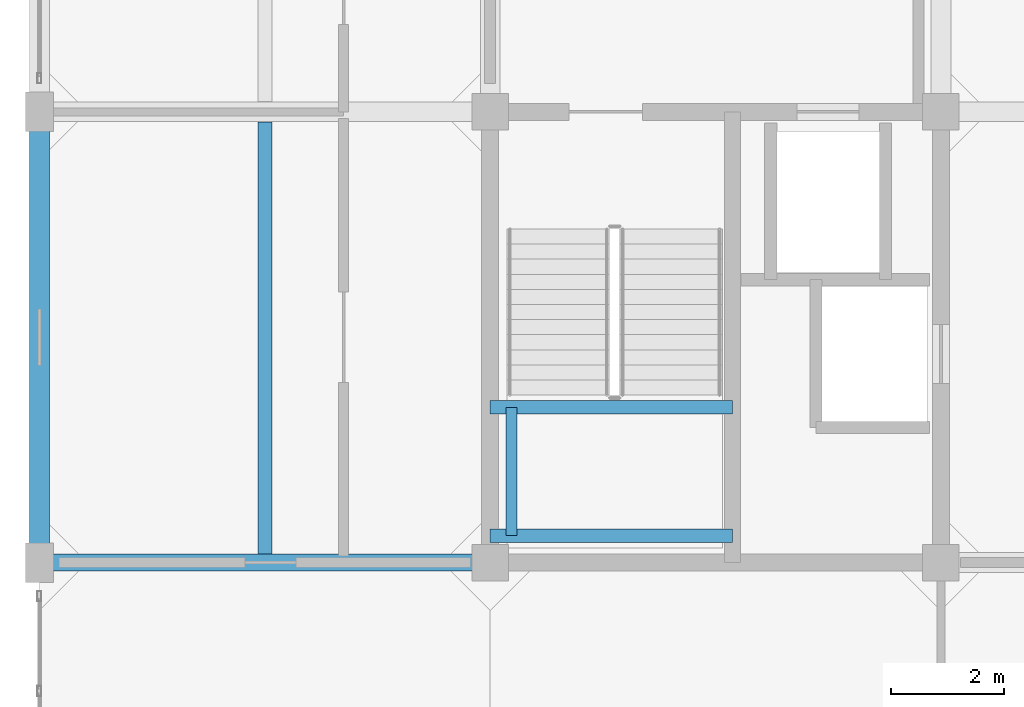
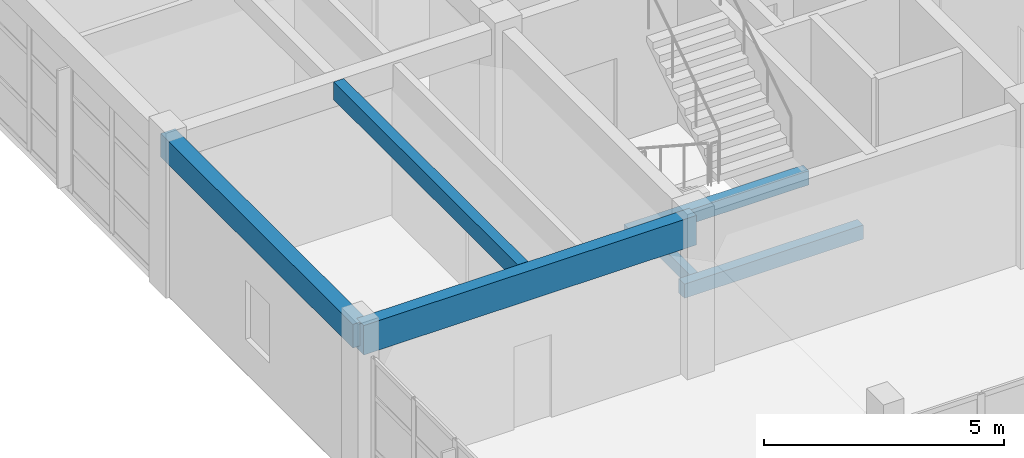
# One storey, part 4 of 18: 6 beams.
"""IFC4 building model written with IfcOpenShell, lengths in metres."""

from ifc_helpers import new_model, si_unit, direction, frame, origin, origin_2d, place, context, subcontext, project, spatial, rectangle, extrude, material, material_profile, profile_set, type_object, element, save


model = new_model("IFC4")

# Units and contexts
model_context = context("Model", 3, precision=1e-05, world=origin(), true_north=direction((0.0, 1.0)))
body_context = subcontext(model_context, "Body", "Model", "MODEL_VIEW")
ifc_project = project(units=[si_unit("LENGTHUNIT", "METRE"), si_unit("AREAUNIT", "SQUARE_METRE"), si_unit("VOLUMEUNIT", "CUBIC_METRE"), si_unit("PLANEANGLEUNIT", "RADIAN"), si_unit("MASSUNIT", "GRAM", prefix="KILO")], contexts=[model_context])

# Site, building, storey
site_placement = place(None, origin())
site = spatial("IfcSite", under=ifc_project, at=site_placement, CompositionType="ELEMENT")
building_placement = place(site_placement, origin())
building = spatial("IfcBuilding", under=site, at=building_placement, Name="Canggui Botanical Conservatory", CompositionType="ELEMENT")
storey_placement = place(building_placement, frame((0.0, 0.0, 52.800048828125)))
storey = spatial("IfcBuildingStorey", under=building, at=storey_placement, Name="L13", CompositionType="ELEMENT", Elevation=52.800048828125)

# Beams
ifc_material = material(Name="Concrete C35", Category="concrete")
ifc_material_profile_1 = material_profile(ifc_material, rectangle(XDim=0.25, YDim=0.449951171875, at=origin_2d()), Name="RB 250x450")
ifc_profile_set_1 = profile_set([ifc_material_profile_1], Name="Concrete C35")
beam_type_1 = type_object("IfcBeamType", Name="BM-JST05", PredefinedType="JOIST", material=ifc_profile_set_1)
beam_1_placement = place(storey_placement, frame((150.0, 42.155029296875, 3.73486328125), z_axis=(0.0, 1.0, 0.0), x_axis=(-1.0, 0.0, 0.0)))
element("IfcBeam", 1, at=beam_1_placement, inside=storey, type_object=beam_type_1, Name="Secondary Floor Joist L13-1-1", PredefinedType="JOIST", context=body_context, shape_type="SweptSolid", body=[
    extrude(rectangle(XDim=0.25, YDim=0.449951171875, at=origin_2d()), origin(), (0.0, 0.0, 1.0), 7.6650390625),
])
ifc_material_profile_2 = material_profile(ifc_material, rectangle(XDim=0.35009765625, YDim=0.60009765625, at=origin_2d()), Name="RB 350x600")
ifc_profile_set_2 = profile_set([ifc_material_profile_2], Name="Concrete C35")
beam_type_2 = type_object("IfcBeamType", Name="BM-KL19", PredefinedType="BEAM", material=ifc_profile_set_2)
beam_2_placement = place(storey_placement, frame((146.0, 42.0, 3.659912109375), z_axis=(0.0, 1.0, 0.0), x_axis=(-1.0, 0.0, 0.0)))
element("IfcBeam", 2, at=beam_2_placement, inside=storey, type_object=beam_type_2, Name="Frame Girder L13 X146-1", PredefinedType="BEAM", context=body_context, shape_type="SweptSolid", body=[
    extrude(rectangle(XDim=0.35009765625, YDim=0.60009765625, at=origin_2d()), origin(), (0.0, 0.0, 1.0), 8.0),
])
ifc_material_profile_3 = material_profile(ifc_material, rectangle(XDim=0.239990234375, YDim=0.360107421875, at=origin_2d()), Name="RB 240x360")
ifc_profile_set_3 = profile_set([ifc_material_profile_3], Name="Concrete C35")
beam_type_3 = type_object("IfcBeamType", Name="BM-LIN01", PredefinedType="LINTEL", material=ifc_profile_set_3)
for number, where, z_axis, x_axis, name in (
    (3, (154.0, 42.47998046875, 1.719970703125), (1.0, 0.0, 0.0), (0.0, 1.0, 0.0), "ST-T1 Half-Landing Ledger Beam L13-1.1"),
    (4, (154.0, 44.75244140625, 1.719970703125), (1.0, 0.0, 0.0), (0.0, 1.0, 0.0), "ST-T1 Half-Landing Ledger Beam L13-1.2"),
):
    element("IfcBeam", number, at=place(storey_placement, frame(where, z_axis=z_axis, x_axis=x_axis)), inside=storey, type_object=beam_type_3, Name=name, PredefinedType="LINTEL", context=body_context, shape_type="SweptSolid", body=[
        extrude(rectangle(XDim=0.239990234375, YDim=0.360107421875, at=origin_2d()), origin(), (0.0, 0.0, 1.0), 4.300048828125),
    ])
ifc_material_profile_4 = material_profile(ifc_material, rectangle(XDim=0.199951171875, YDim=0.320068359375, at=origin_2d()), Name="RB 200x320")
ifc_profile_set_4 = profile_set([ifc_material_profile_4], Name="Concrete C35")
beam_type_4 = type_object("IfcBeamType", Name="BM-LIN02", PredefinedType="LINTEL", material=ifc_profile_set_4)
beam_3_placement = place(storey_placement, frame((154.3798828125, 42.47998046875, 1.719970703125), z_axis=(0.0, 1.0, 0.0), x_axis=(-1.0, 0.0, 0.0)))
element("IfcBeam", 5, at=beam_3_placement, inside=storey, type_object=beam_type_4, Name="ST-T1 Half-Landing Edge Ledger L13-1.3", PredefinedType="LINTEL", context=body_context, shape_type="SweptSolid", body=[
    extrude(rectangle(XDim=0.199951171875, YDim=0.320068359375, at=origin_2d()), origin(), (0.0, 0.0, 1.0), 2.2724609375),
])
ifc_material_profile_5 = material_profile(ifc_material, rectangle(XDim=0.300048828125, YDim=0.75, at=origin_2d()), Name="RB 300x750")
ifc_profile_set_5 = profile_set([ifc_material_profile_5], Name="Concrete C35")
beam_type_5 = type_object("IfcBeamType", Name="BM-SPD01", PredefinedType="SPANDREL", material=ifc_profile_set_5)
beam_4_placement = place(storey_placement, frame((146.0, 42.0, 3.5849609375), z_axis=(1.0, 0.0, 0.0), x_axis=(0.0, 1.0, 0.0)))
element("IfcBeam", 6, at=beam_4_placement, inside=storey, type_object=beam_type_5, Name="Frame Girder L13 Y42-1", PredefinedType="SPANDREL", context=body_context, shape_type="SweptSolid", body=[
    extrude(rectangle(XDim=0.300048828125, YDim=0.75, at=origin_2d()), origin(), (0.0, 0.0, 1.0), 8.0),
])

save(model, "model.ifc")
